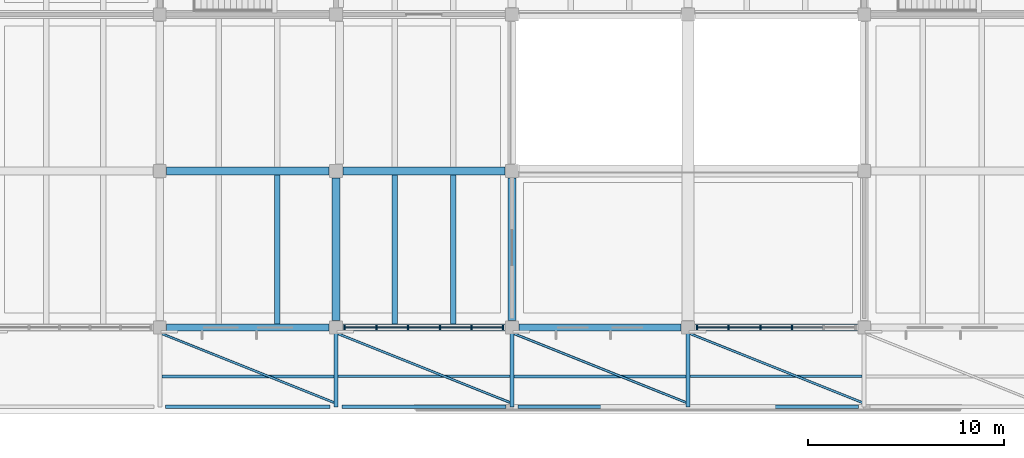
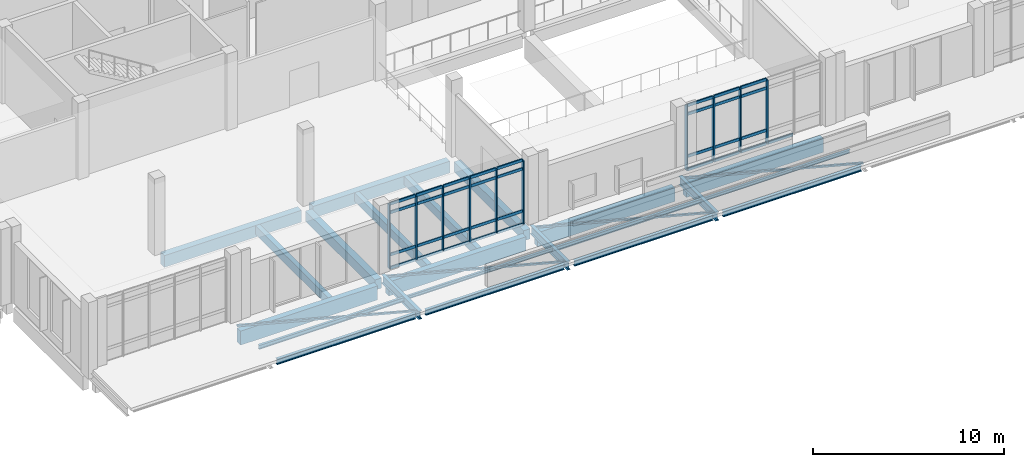
# One storey, part 29 of 110: 47 members, 22 beams, 2 elements without a shape of their own.
"""IFC4 building model written with IfcOpenShell, lengths in metres."""

import ifcopenshell
import ifcopenshell.guid

model = None  # the IFC model being written
_history = None  # IfcOwnerHistory: only IFC2X3 demands one
_inside = {}  # id of a spatial element -> (the spatial element, [elements in it])
_under = {}  # id of a project, library or spatial element -> (it, [spatial elements below it])
_declared = {}  # id of a project -> (the project, [libraries it declares])
_typed = {}  # id of a type object -> (the type object, [elements of that type])
_made_of = {}  # id of a material, layer set ... -> (it, [elements and type objects made of it])


def new_model(schema):
    """Start an empty IFC model of exactly this schema.

    Asked for "IFC4X3", IfcOpenShell would pick the latest addendum, in which some entities
    have other attributes; the version numbers below select the first issue.
    IFC2X3 requires an IfcOwnerHistory on every rooted entity: one is made here for all.
    """
    global model, _history
    if schema == "IFC4X3":
        model = ifcopenshell.file(schema_version=(4, 3, 0, 0))
    else:
        model = ifcopenshell.file(schema=schema)
    _inside.clear()
    _under.clear()
    _declared.clear()
    _typed.clear()
    _made_of.clear()
    _history = None
    if model.schema == "IFC2X3":
        org = make("IfcOrganization", Name="unknown")
        user = make(
            "IfcPersonAndOrganization",
            ThePerson=make("IfcPerson", FamilyName="unknown"),
            TheOrganization=org,
        )
        app = make(
            "IfcApplication",
            ApplicationDeveloper=org,
            Version="unknown",
            ApplicationFullName="unknown",
            ApplicationIdentifier="unknown",
        )
        _history = make(
            "IfcOwnerHistory",
            OwningUser=user,
            OwningApplication=app,
            ChangeAction="ADDED",
            CreationDate=0,
        )
    return model


def make(cls, **values):
    """One entity of the class cls with the attributes given. An attribute that is None is left unset."""
    return model.create_entity(
        cls, **{name: value for name, value in values.items() if value is not None}
    )


def rooted(cls, **values):
    """An entity with a GlobalId (a new one), such as an element, a storey or a relation."""
    return make(cls, GlobalId=ifcopenshell.guid.new(), OwnerHistory=_history, **values)


def si_unit(unit_type, name, prefix=None):
    """IfcSIUnit, for example si_unit("LENGTHUNIT", "METRE", prefix="MILLI")."""
    return make("IfcSIUnit", UnitType=unit_type, Prefix=prefix, Name=name)


def assignment(units):
    """IfcUnitAssignment: the units of a project."""
    return None if units is None else make("IfcUnitAssignment", Units=units)


def point(xyz):
    """IfcCartesianPoint."""
    return None if xyz is None else make("IfcCartesianPoint", Coordinates=xyz)


def direction(xyz):
    """IfcDirection."""
    return None if xyz is None else make("IfcDirection", DirectionRatios=xyz)


def frame(location, z_axis=None, x_axis=None):
    """IfcAxis2Placement3D, a coordinate frame: its origin and axes. An axis left out is left unset."""
    return make(
        "IfcAxis2Placement3D",
        Location=point(location),
        Axis=direction(z_axis),
        RefDirection=direction(x_axis),
    )


def frame_2d(location, x_axis=None):
    """IfcAxis2Placement2D, a coordinate frame in the plane: its origin and x axis."""
    return make(
        "IfcAxis2Placement2D", Location=point(location), RefDirection=direction(x_axis)
    )


def origin():
    """The frame at (0, 0, 0) with its axes left unset."""
    return frame((0.0, 0.0, 0.0))


def origin_2d():
    """The frame at (0, 0) in the plane with its x axis left unset."""
    return frame_2d((0.0, 0.0))


def place(relative_to, where):
    """IfcLocalPlacement: puts the frame where relative to a parent placement (None: the world)."""
    return make(
        "IfcLocalPlacement", PlacementRelTo=relative_to, RelativePlacement=where
    )


def context(
    kind, dimensions, precision=None, world=None, true_north=None, identifier=None
):
    """IfcGeometricRepresentationContext, for example the 3D "Model" context."""
    return make(
        "IfcGeometricRepresentationContext",
        ContextIdentifier=identifier,
        ContextType=kind,
        CoordinateSpaceDimension=dimensions,
        Precision=precision,
        WorldCoordinateSystem=world,
        TrueNorth=true_north,
    )


def subcontext(parent, identifier, kind, view, scale=None):
    """IfcGeometricRepresentationSubContext, for example "Body" below "Model"."""
    return make(
        "IfcGeometricRepresentationSubContext",
        ContextIdentifier=identifier,
        ContextType=kind,
        ParentContext=parent,
        TargetScale=scale,
        TargetView=view,
    )


def project(units=None, contexts=None):
    """IfcProject with its units and contexts."""
    return rooted(
        "IfcProject",
        Name="project",
        RepresentationContexts=contexts,
        UnitsInContext=assignment(units),
    )


def spatial(cls, under=None, at=None, **own):
    """A site, building, storey or space (cls), placed at a placement, below another one or the project."""
    s = rooted(cls, ObjectPlacement=at, **own)
    if under is not None:
        _under.setdefault(under.id(), (under, []))[1].append(s)
    return s


def profile(cls, at=None, kind="AREA", **sizes):
    """A parametric profile (cls). Its sizes go by their IFC names, for example OverallWidth=200.0."""
    return make(cls, ProfileType=kind, Position=at, **sizes)


def rectangle(**sizes):
    """IfcRectangleProfileDef."""
    return profile("IfcRectangleProfileDef", **sizes)


def hollow_rectangle(**sizes):
    """IfcRectangleHollowProfileDef."""
    return profile("IfcRectangleHollowProfileDef", **sizes)


def i_section(**sizes):
    """IfcIShapeProfileDef."""
    return profile("IfcIShapeProfileDef", **sizes)


def extrude(swept, where, along, depth):
    """IfcExtrudedAreaSolid: the profile swept, set in the frame where, extruded along a direction by depth."""
    return make(
        "IfcExtrudedAreaSolid",
        SweptArea=swept,
        Position=where,
        ExtrudedDirection=direction(along),
        Depth=depth,
    )


def shape(context_of_items, identifier, shape_type, items):
    """IfcShapeRepresentation: the items that make up one representation, for example the "Body"."""
    return make(
        "IfcShapeRepresentation",
        ContextOfItems=context_of_items,
        RepresentationIdentifier=identifier,
        RepresentationType=shape_type,
        Items=items,
    )


def material(Name=None, Category=None):
    """IfcMaterial."""
    return make("IfcMaterial", Name=Name, Category=Category)


def layer(
    of_material, thickness, ventilated=None, Name=None, Category=None, Priority=None
):
    """IfcMaterialLayer: one layer of a wall or slab, of a material (None: an air gap)."""
    return make(
        "IfcMaterialLayer",
        Material=of_material,
        LayerThickness=thickness,
        IsVentilated=ventilated,
        Name=Name,
        Category=Category,
        Priority=Priority,
    )


def layer_set(layers, Name=None):
    """IfcMaterialLayerSet."""
    return make("IfcMaterialLayerSet", MaterialLayers=layers, LayerSetName=Name)


def material_profile(
    of_material, cross_section, Name=None, Category=None, Priority=None
):
    """IfcMaterialProfile: a cross section and its material."""
    return make(
        "IfcMaterialProfile",
        Name=Name,
        Material=of_material,
        Profile=cross_section,
        Priority=Priority,
        Category=Category,
    )


def profile_set(profiles, Name=None, composite=None):
    """IfcMaterialProfileSet."""
    return make(
        "IfcMaterialProfileSet",
        Name=Name,
        MaterialProfiles=profiles,
        CompositeProfile=composite,
    )


def made_of(thing, what):
    """Note that an element or type object is made of a material, layer set ...; save() writes the relation."""
    if what is not None:
        _made_of.setdefault(what.id(), (what, []))[1].append(thing)
    return thing


def type_object(cls, material=None, **own):
    """A type object (cls), such as IfcWallType, which elements share."""
    return made_of(rooted(cls, **own), material)


def element(
    cls,
    number,
    at=None,
    inside=None,
    cuts=None,
    type_object=None,
    material=None,
    context=None,
    identifier="Body",
    shape_type=None,
    held_by="IfcProductDefinitionShape",
    body=None,
    shapes=None,
    **own,
):
    """One element of the class cls, such as IfcWall. Its Tag is "e" and its number.

    at: its placement. inside: the storey or other place that contains it. cuts: it is an
    opening in that element (IfcRelVoidsElement). A single representation is given by context,
    identifier, shape_type and body (its items); several are given by shapes. held_by: the class
    of the entity that holds the representations. save() writes the other relations.
    """
    e = rooted(cls, Tag="e%d" % number, ObjectPlacement=at, **own)
    if body is not None:
        shapes = [shape(context, identifier, shape_type, body)]
    if shapes is not None:
        e.Representation = make(held_by, Representations=shapes)
    if inside is not None:
        _inside.setdefault(inside.id(), (inside, []))[1].append(e)
    if cuts is not None:
        rooted(
            "IfcRelVoidsElement", RelatingBuildingElement=cuts, RelatedOpeningElement=e
        )
    if type_object is not None:
        _typed.setdefault(type_object.id(), (type_object, []))[1].append(e)
    return made_of(e, material)


def aggregate(whole, parts):
    """IfcRelAggregates: a whole, such as a stair, and the parts it consists of."""
    return rooted("IfcRelAggregates", RelatingObject=whole, RelatedObjects=parts)


def save(model, path):
    """Write the relations noted so far, then the file.

    IfcRelAggregates (storeys below a building ...), IfcRelContainedInSpatialStructure (elements
    in a storey), IfcRelDefinesByType, IfcRelAssociatesMaterial and IfcRelDeclares: one each for
    every whole, place, type object, material and project.
    """
    for whole, parts in _under.values():
        aggregate(whole, parts)
    for where, things in _inside.values():
        rooted(
            "IfcRelContainedInSpatialStructure",
            RelatedElements=things,
            RelatingStructure=where,
        )
    for kind, things in _typed.values():
        rooted("IfcRelDefinesByType", RelatedObjects=things, RelatingType=kind)
    for what, things in _made_of.values():
        rooted("IfcRelAssociatesMaterial", RelatedObjects=things, RelatingMaterial=what)
    for by, libraries in _declared.values():
        rooted("IfcRelDeclares", RelatingContext=by, RelatedDefinitions=libraries)
    model.write(path)


model = new_model("IFC4")

# Units and contexts
model_context = context("Model", 3, precision=1e-05, world=origin(), true_north=direction((0.0, 1.0)))
body_context = subcontext(model_context, "Body", "Model", "MODEL_VIEW")
ifc_project = project(units=[si_unit("LENGTHUNIT", "METRE"), si_unit("AREAUNIT", "SQUARE_METRE"), si_unit("VOLUMEUNIT", "CUBIC_METRE"), si_unit("PLANEANGLEUNIT", "RADIAN"), si_unit("MASSUNIT", "GRAM", prefix="KILO")], contexts=[model_context])

# Site, building, storey
site_placement = place(None, origin())
site = spatial("IfcSite", under=ifc_project, at=site_placement, CompositionType="ELEMENT")
building_placement = place(site_placement, origin())
building = spatial("IfcBuilding", under=site, at=building_placement, Name="Zacnel Wholesale Market", CompositionType="ELEMENT")
storey_placement = place(building_placement, frame((0.0, 0.0, 6.300048828125)))
storey = spatial("IfcBuildingStorey", under=building, at=storey_placement, Name="L02", CompositionType="ELEMENT", Elevation=6.300048828125)

# Beams
ifc_material_1 = material(Name="Precast concrete C45/55", Category="concrete")
ifc_material_profile_1 = material_profile(ifc_material_1, rectangle(XDim=0.280029296875, YDim=0.550048828125, at=origin_2d()), Name="DT RIB 280x550")
ifc_profile_set_1 = profile_set([ifc_material_profile_1], Name="Precast concrete C45/55")
beam_type_1 = type_object("IfcBeamType", Name="BM-DT550", PredefinedType="JOIST", material=ifc_profile_set_1)
for number, where, z_axis, x_axis, name in (
    (1, (159.0, 0.175048828125, -0.574951171875), (0.0, 1.0, 0.0), (-1.0, 0.0, 0.0), "Precast secondary joist L02-0014"),
    (2, (165.0, 0.175048828125, -0.574951171875), (0.0, 1.0, 0.0), (-1.0, 0.0, 0.0), "Precast secondary joist L02-0015"),
    (3, (168.0, 0.175048828125, -0.574951171875), (0.0, 1.0, 0.0), (-1.0, 0.0, 0.0), "Precast secondary joist L02-0016"),
):
    element("IfcBeam", number, at=place(storey_placement, frame(where, z_axis=z_axis, x_axis=x_axis)), inside=storey, type_object=beam_type_1, Name=name, PredefinedType="JOIST", context=body_context, shape_type="SweptSolid", body=[
        extrude(rectangle(XDim=0.280029296875, YDim=0.550048828125, at=origin_2d()), origin(), (0.0, 0.0, 1.0), 7.625),
    ])
ifc_material_2 = material(Name="Precast concrete C45/55", Category="concrete")
ifc_material_profile_2 = material_profile(ifc_material_2, rectangle(XDim=0.39990234375, YDim=0.64990234375, at=origin_2d()), Name="PG 400x650")
ifc_profile_set_2 = profile_set([ifc_material_profile_2], Name="Precast concrete C45/55")
beam_type_2 = type_object("IfcBeamType", Name="BM-PG650", PredefinedType="BEAM", material=ifc_profile_set_2)
for number, where, z_axis, x_axis, name in (
    (4, (162.0, 0.35009765625, -0.625), (0.0, 1.0, 0.0), (-1.0, 0.0, 0.0), "Precast girder Y-0488"),
    (5, (171.0, 0.35009765625, -0.625), (0.0, 1.0, 0.0), (-1.0, 0.0, 0.0), "Precast girder Y-0495"),
):
    element("IfcBeam", number, at=place(storey_placement, frame(where, z_axis=z_axis, x_axis=x_axis)), inside=storey, type_object=beam_type_2, Name=name, PredefinedType="BEAM", context=body_context, shape_type="SweptSolid", body=[
        extrude(rectangle(XDim=0.39990234375, YDim=0.64990234375, at=origin_2d()), origin(), (0.0, 0.0, 1.0), 7.2998046875),
    ])
ifc_material_3 = material(Name="Precast concrete C45/55", Category="concrete")
ifc_material_profile_3 = material_profile(ifc_material_3, rectangle(XDim=0.39990234375, YDim=0.75, at=origin_2d()), Name="PG 400x750")
ifc_profile_set_3 = profile_set([ifc_material_profile_3], Name="Precast concrete C45/55")
beam_type_3 = type_object("IfcBeamType", Name="BM-PG750", PredefinedType="BEAM", material=ifc_profile_set_3)
for number, where, z_axis, x_axis, name in (
    (6, (153.35009765625, 8.0, -0.675048828125), (1.0, 0.0, 0.0), (0.0, 1.0, 0.0), "Precast girder X-0025"),
    (7, (162.35009765625, 8.0, -0.675048828125), (1.0, 0.0, 0.0), (0.0, 1.0, 0.0), "Precast girder X-0026"),
):
    element("IfcBeam", number, at=place(storey_placement, frame(where, z_axis=z_axis, x_axis=x_axis)), inside=storey, type_object=beam_type_3, Name=name, PredefinedType="BEAM", context=body_context, shape_type="SweptSolid", body=[
        extrude(rectangle(XDim=0.39990234375, YDim=0.75, at=origin_2d()), origin(), (0.0, 0.0, 1.0), 8.2998046875),
    ])
ifc_material_4 = material(Name="Precast concrete C45/55", Category="concrete")
ifc_material_profile_4 = material_profile(ifc_material_4, rectangle(XDim=0.35009765625, YDim=0.89990234375, at=origin_2d()), Name="SP 350x900")
ifc_profile_set_4 = profile_set([ifc_material_profile_4], Name="Precast concrete C45/55")
beam_type_4 = type_object("IfcBeamType", Name="BM-SP900", PredefinedType="SPANDREL", material=ifc_profile_set_4)
for number, where, z_axis, x_axis, name in (
    (8, (153.35009765625, 0.0, -0.75), (1.0, 0.0, 0.0), (0.0, 1.0, 0.0), "Precast girder X-0007"),
    (9, (162.35009765625, 0.0, -0.75), (1.0, 0.0, 0.0), (0.0, 1.0, 0.0), "Precast girder X-0008"),
    (10, (171.35009765625, 0.0, -0.75), (1.0, 0.0, 0.0), (0.0, 1.0, 0.0), "Precast girder X-0009"),
    (11, (180.35009765625, 0.0, -0.75), (1.0, 0.0, 0.0), (0.0, 1.0, 0.0), "Precast girder X-0010"),
):
    element("IfcBeam", number, at=place(storey_placement, frame(where, z_axis=z_axis, x_axis=x_axis)), inside=storey, type_object=beam_type_4, Name=name, PredefinedType="SPANDREL", context=body_context, shape_type="SweptSolid", body=[
        extrude(rectangle(XDim=0.35009765625, YDim=0.89990234375, at=origin_2d()), origin(), (0.0, 0.0, 1.0), 8.2998046875),
    ])
ifc_material_5 = material(Name="Steel S355", Category="steel")
ifc_material_profile_5 = material_profile(ifc_material_5, i_section(OverallWidth=0.133056640625, OverallDepth=0.20703125, WebThickness=0.005859375, FlangeThickness=0.00830078125, FilletRadius=0.008056640625, at=origin_2d()), Name="W200X26.6")
ifc_profile_set_5 = profile_set([ifc_material_profile_5], Name="Steel S355")
beam_type_5 = type_object("IfcBeamType", Name="BM-STL-W200", PredefinedType="JOIST", material=ifc_profile_set_5)
for number, where, z_axis, x_axis, name in (
    (12, (162.1044921875, -2.5, 0.220458984375), (1.0, 0.0, 0.0), (0.0, 1.0, 0.0), "Boulevard canopy secondary purlin 02"),
    (13, (180.1044921875, -2.5, 0.220458984375), (1.0, 0.0, 0.0), (0.0, 1.0, 0.0), "Boulevard canopy secondary purlin 04"),
):
    element("IfcBeam", number, at=place(storey_placement, frame(where, z_axis=z_axis, x_axis=x_axis)), inside=storey, type_object=beam_type_5, Name=name, PredefinedType="JOIST", context=body_context, shape_type="SweptSolid", body=[
        extrude(i_section(OverallWidth=0.133056640625, OverallDepth=0.20703125, WebThickness=0.005859375, FlangeThickness=0.00830078125, FilletRadius=0.008056640625, at=origin_2d()), origin(), (0.0, 0.0, 1.0), 8.791015625),
    ])
ifc_material_6 = material(Name="Steel S355", Category="steel")
ifc_material_profile_6 = material_profile(ifc_material_6, i_section(OverallWidth=0.14599609375, OverallDepth=0.258056640625, WebThickness=0.006103515625, FlangeThickness=0.009033203125, FilletRadius=0.009033203125, at=origin_2d()), Name="W250X32.7")
ifc_profile_set_6 = profile_set([ifc_material_profile_6], Name="Steel S355")
beam_type_6 = type_object("IfcBeamType", Name="BM-STL-W250", PredefinedType="JOIST", material=ifc_profile_set_6)
for number, where, z_axis, x_axis, name in (
    (14, (153.1044921875, -2.5, 0.195068359375), (1.0, 0.0, 0.0), (0.0, 1.0, 0.0), "Boulevard canopy secondary purlin 01"),
    (15, (171.1044921875, -2.5, 0.195068359375), (1.0, 0.0, 0.0), (0.0, 1.0, 0.0), "Boulevard canopy secondary purlin 03"),
):
    element("IfcBeam", number, at=place(storey_placement, frame(where, z_axis=z_axis, x_axis=x_axis)), inside=storey, type_object=beam_type_6, Name=name, PredefinedType="JOIST", context=body_context, shape_type="SweptSolid", body=[
        extrude(i_section(OverallWidth=0.14599609375, OverallDepth=0.258056640625, WebThickness=0.006103515625, FlangeThickness=0.009033203125, FilletRadius=0.009033203125, at=origin_2d()), origin(), (0.0, 0.0, 1.0), 8.791015625),
    ])
ifc_material_7 = material(Name="Steel S355", Category="steel")
ifc_material_profile_7 = material_profile(ifc_material_7, i_section(OverallWidth=0.172119140625, OverallDepth=0.35791015625, WebThickness=0.0078125, FlangeThickness=0.01318359375, FilletRadius=0.010986328125, at=origin_2d()), Name="W360X57.8")
ifc_profile_set_7 = profile_set([ifc_material_profile_7], Name="Steel S355")
beam_type_7 = type_object("IfcBeamType", Name="BM-STL-W360", PredefinedType="BEAM", material=ifc_profile_set_7)
for number, where, z_axis, x_axis, name in (
    (16, (153.300048828125, -4.050048828125, 0.14501953125), (1.0, 0.0, 0.0), (0.0, 1.0, 0.0), "Boulevard canopy fascia girder 01"),
    (17, (162.300048828125, -4.050048828125, 0.14501953125), (1.0, 0.0, 0.0), (0.0, 1.0, 0.0), "Boulevard canopy fascia girder 02"),
    (18, (171.300048828125, -4.050048828125, 0.14501953125), (1.0, 0.0, 0.0), (0.0, 1.0, 0.0), "Boulevard canopy fascia girder 03"),
    (19, (180.300048828125, -4.050048828125, 0.14501953125), (1.0, 0.0, 0.0), (0.0, 1.0, 0.0), "Boulevard canopy fascia girder 04"),
):
    element("IfcBeam", number, at=place(storey_placement, frame(where, z_axis=z_axis, x_axis=x_axis)), inside=storey, type_object=beam_type_7, Name=name, PredefinedType="BEAM", context=body_context, shape_type="SweptSolid", body=[
        extrude(i_section(OverallWidth=0.172119140625, OverallDepth=0.35791015625, WebThickness=0.0078125, FlangeThickness=0.01318359375, FilletRadius=0.010986328125, at=origin_2d()), origin(), (0.0, 0.0, 1.0), 8.39990234375),
    ])
ifc_material_8 = material(Name="Steel S355", Category="steel")
ifc_material_profile_8 = material_profile(ifc_material_8, i_section(OverallWidth=0.208984375, OverallDepth=0.532958984375, WebThickness=0.01025390625, FlangeThickness=0.015625, FilletRadius=0.013916015625, at=origin_2d()), Name="W530X92")
ifc_profile_set_8 = profile_set([ifc_material_profile_8], Name="Steel S355")
beam_type_8 = type_object("IfcBeamType", Name="BM-STL-W530", PredefinedType="BEAM", material=ifc_profile_set_8)
for number, where, z_axis, x_axis, name in (
    (20, (162.0, -0.14990234375, 0.057373046875), (0.0, -1.0, 0.0), (1.0, 0.0, 0.0), "Boulevard canopy steel girder 02"),
    (21, (171.0, -0.14990234375, 0.057373046875), (0.0, -1.0, 0.0), (1.0, 0.0, 0.0), "Boulevard canopy steel girder 03"),
    (22, (180.0, -0.14990234375, 0.057373046875), (0.0, -1.0, 0.0), (1.0, 0.0, 0.0), "Boulevard canopy steel girder 04"),
):
    element("IfcBeam", number, at=place(storey_placement, frame(where, z_axis=z_axis, x_axis=x_axis)), inside=storey, type_object=beam_type_8, Name=name, PredefinedType="BEAM", context=body_context, shape_type="SweptSolid", body=[
        extrude(i_section(OverallWidth=0.208984375, OverallDepth=0.532958984375, WebThickness=0.01025390625, FlangeThickness=0.015625, FilletRadius=0.013916015625, at=origin_2d()), origin(), (0.0, 0.0, 1.0), 3.900146484375),
    ])

# Curtain wall, members
ifc_material_9 = material(Name="Anodised aluminium", Category="aluminium")
ifc_layer = layer(ifc_material_9, 0.179931640625)
ifc_layer_set = layer_set([ifc_layer], Name="Anodised aluminium")
curtain_wall_type = type_object("IfcCurtainWallType", Name="CW-BLVD-5400", PredefinedType="NOTDEFINED", material=ifc_layer_set)
curtain_wall_1_placement = place(storey_placement, origin())
curtain_wall_1 = element("IfcCurtainWall", 23, at=curtain_wall_1_placement, inside=storey, type_object=curtain_wall_type, Name="Curtain wall ENV-R2-CW-L02-017", PredefinedType="NOTDEFINED")
ifc_material_10 = material(Name="Anodised aluminium", Category="aluminium")
ifc_material_profile_9 = material_profile(ifc_material_10, rectangle(XDim=0.074951171875, YDim=0.219970703125, at=origin_2d()), Name="AW-MULLION 75x220")
ifc_profile_set_9 = profile_set([ifc_material_profile_9], Name="Anodised aluminium")
member_type_1 = type_object("IfcMemberType", Name="CWM-MUL-01", PredefinedType="MULLION", material=ifc_profile_set_9)
member_1_placement = place(storey_placement, frame((162.449951171875, 0.0, 0.449951171875), z_axis=(0.0, 0.0, 1.0), x_axis=(1.0, 0.0, 0.0)))
member_1 = element("IfcMember", 24, at=member_1_placement, type_object=member_type_1, Name="ENV-R2-CW-L02-017 mullion 01", PredefinedType="MULLION", context=body_context, shape_type="SweptSolid", body=[
    extrude(rectangle(XDim=0.074951171875, YDim=0.219970703125, at=origin_2d()), origin(), (0.0, 0.0, 1.0), 4.10009765625),
])
member_2_placement = place(storey_placement, frame((164.070068359375, 0.0, 0.449951171875), z_axis=(0.0, 0.0, 1.0), x_axis=(1.0, 0.0, 0.0)))
member_2 = element("IfcMember", 25, at=member_2_placement, type_object=member_type_1, Name="ENV-R2-CW-L02-017 mullion 02", PredefinedType="MULLION", context=body_context, shape_type="SweptSolid", body=[
    extrude(rectangle(XDim=0.074951171875, YDim=0.219970703125, at=origin_2d()), origin(), (0.0, 0.0, 1.0), 4.10009765625),
])
member_3_placement = place(storey_placement, frame((165.68994140625, 0.0, 0.449951171875), z_axis=(0.0, 0.0, 1.0), x_axis=(1.0, 0.0, 0.0)))
member_3 = element("IfcMember", 26, at=member_3_placement, type_object=member_type_1, Name="ENV-R2-CW-L02-017 mullion 03", PredefinedType="MULLION", context=body_context, shape_type="SweptSolid", body=[
    extrude(rectangle(XDim=0.074951171875, YDim=0.219970703125, at=origin_2d()), origin(), (0.0, 0.0, 1.0), 4.10009765625),
])
member_4_placement = place(storey_placement, frame((167.31005859375, 0.0, 0.449951171875), z_axis=(0.0, 0.0, 1.0), x_axis=(1.0, 0.0, 0.0)))
member_4 = element("IfcMember", 27, at=member_4_placement, type_object=member_type_1, Name="ENV-R2-CW-L02-017 mullion 04", PredefinedType="MULLION", context=body_context, shape_type="SweptSolid", body=[
    extrude(rectangle(XDim=0.074951171875, YDim=0.219970703125, at=origin_2d()), origin(), (0.0, 0.0, 1.0), 4.10009765625),
])
member_5_placement = place(storey_placement, frame((168.929931640625, 0.0, 0.449951171875), z_axis=(0.0, 0.0, 1.0), x_axis=(1.0, 0.0, 0.0)))
member_5 = element("IfcMember", 28, at=member_5_placement, type_object=member_type_1, Name="ENV-R2-CW-L02-017 mullion 05", PredefinedType="MULLION", context=body_context, shape_type="SweptSolid", body=[
    extrude(rectangle(XDim=0.074951171875, YDim=0.219970703125, at=origin_2d()), origin(), (0.0, 0.0, 1.0), 4.10009765625),
])
member_6_placement = place(storey_placement, frame((170.550048828125, 0.0, 0.449951171875), z_axis=(0.0, 0.0, 1.0), x_axis=(1.0, 0.0, 0.0)))
member_6 = element("IfcMember", 29, at=member_6_placement, type_object=member_type_1, Name="ENV-R2-CW-L02-017 mullion 06", PredefinedType="MULLION", context=body_context, shape_type="SweptSolid", body=[
    extrude(rectangle(XDim=0.074951171875, YDim=0.219970703125, at=origin_2d()), origin(), (0.0, 0.0, 1.0), 4.10009765625),
])

curtain_wall_2_placement = place(storey_placement, origin())
curtain_wall_2 = element("IfcCurtainWall", 30, at=curtain_wall_2_placement, inside=storey, type_object=curtain_wall_type, Name="Curtain wall ENV-R2-CW-L02-018", PredefinedType="NOTDEFINED")
member_7_placement = place(storey_placement, frame((180.449951171875, 0.0, 0.449951171875), z_axis=(0.0, 0.0, 1.0), x_axis=(1.0, 0.0, 0.0)))
member_7 = element("IfcMember", 31, at=member_7_placement, type_object=member_type_1, Name="ENV-R2-CW-L02-018 mullion 01", PredefinedType="MULLION", context=body_context, shape_type="SweptSolid", body=[
    extrude(rectangle(XDim=0.074951171875, YDim=0.219970703125, at=origin_2d()), origin(), (0.0, 0.0, 1.0), 4.10009765625),
])
member_8_placement = place(storey_placement, frame((182.070068359375, 0.0, 0.449951171875), z_axis=(0.0, 0.0, 1.0), x_axis=(1.0, 0.0, 0.0)))
member_8 = element("IfcMember", 32, at=member_8_placement, type_object=member_type_1, Name="ENV-R2-CW-L02-018 mullion 02", PredefinedType="MULLION", context=body_context, shape_type="SweptSolid", body=[
    extrude(rectangle(XDim=0.074951171875, YDim=0.219970703125, at=origin_2d()), origin(), (0.0, 0.0, 1.0), 4.10009765625),
])
member_9_placement = place(storey_placement, frame((183.68994140625, 0.0, 0.449951171875), z_axis=(0.0, 0.0, 1.0), x_axis=(1.0, 0.0, 0.0)))
member_9 = element("IfcMember", 33, at=member_9_placement, type_object=member_type_1, Name="ENV-R2-CW-L02-018 mullion 03", PredefinedType="MULLION", context=body_context, shape_type="SweptSolid", body=[
    extrude(rectangle(XDim=0.074951171875, YDim=0.219970703125, at=origin_2d()), origin(), (0.0, 0.0, 1.0), 4.10009765625),
])
member_10_placement = place(storey_placement, frame((185.31005859375, 0.0, 0.449951171875), z_axis=(0.0, 0.0, 1.0), x_axis=(1.0, 0.0, 0.0)))
member_10 = element("IfcMember", 34, at=member_10_placement, type_object=member_type_1, Name="ENV-R2-CW-L02-018 mullion 04", PredefinedType="MULLION", context=body_context, shape_type="SweptSolid", body=[
    extrude(rectangle(XDim=0.074951171875, YDim=0.219970703125, at=origin_2d()), origin(), (0.0, 0.0, 1.0), 4.10009765625),
])

# Member
ifc_material_11 = material(Name="Anodised aluminium", Category="aluminium")
ifc_material_profile_10 = material_profile(ifc_material_11, rectangle(XDim=0.074951171875, YDim=0.179931640625, at=origin_2d()), Name="AW-TRANSOM 75x180")
ifc_profile_set_10 = profile_set([ifc_material_profile_10], Name="Anodised aluminium")
member_type_2 = type_object("IfcMemberType", Name="CWM-TRN-01", PredefinedType="USERDEFINED", material=ifc_profile_set_10)
member_11_placement = place(storey_placement, frame((162.485107421875, 0.0, 0.449951171875), z_axis=(1.0, 0.0, 0.0), x_axis=(0.0, 1.0, 0.0)))
member_11 = element("IfcMember", 35, at=member_11_placement, type_object=member_type_2, Name="ENV-R2-CW-L02-017 transom 1-1", ObjectType="TRANSOM", PredefinedType="USERDEFINED", context=body_context, shape_type="SweptSolid", body=[
    extrude(rectangle(XDim=0.074951171875, YDim=0.179931640625, at=origin_2d()), origin(), (0.0, 0.0, 1.0), 1.5498046875),
])

member_12_placement = place(storey_placement, frame((162.485107421875, 0.0, 1.300048828125), z_axis=(1.0, 0.0, 0.0), x_axis=(0.0, 1.0, 0.0)))
member_12 = element("IfcMember", 36, at=member_12_placement, type_object=member_type_2, Name="ENV-R2-CW-L02-017 transom 1-2", ObjectType="TRANSOM", PredefinedType="USERDEFINED", context=body_context, shape_type="SweptSolid", body=[
    extrude(rectangle(XDim=0.074951171875, YDim=0.179931640625, at=origin_2d()), origin(), (0.0, 0.0, 1.0), 1.5498046875),
])

member_13_placement = place(storey_placement, frame((162.485107421875, 0.0, 4.0), z_axis=(1.0, 0.0, 0.0), x_axis=(0.0, 1.0, 0.0)))
member_13 = element("IfcMember", 37, at=member_13_placement, type_object=member_type_2, Name="ENV-R2-CW-L02-017 transom 1-3", ObjectType="TRANSOM", PredefinedType="USERDEFINED", context=body_context, shape_type="SweptSolid", body=[
    extrude(rectangle(XDim=0.074951171875, YDim=0.179931640625, at=origin_2d()), origin(), (0.0, 0.0, 1.0), 1.5498046875),
])

member_14_placement = place(storey_placement, frame((162.485107421875, 0.0, 4.550048828125), z_axis=(1.0, 0.0, 0.0), x_axis=(0.0, 1.0, 0.0)))
member_14 = element("IfcMember", 38, at=member_14_placement, type_object=member_type_2, Name="ENV-R2-CW-L02-017 transom 1-4", ObjectType="TRANSOM", PredefinedType="USERDEFINED", context=body_context, shape_type="SweptSolid", body=[
    extrude(rectangle(XDim=0.074951171875, YDim=0.179931640625, at=origin_2d()), origin(), (0.0, 0.0, 1.0), 1.5498046875),
])

member_15_placement = place(storey_placement, frame((164.10498046875, 0.0, 0.449951171875), z_axis=(1.0, 0.0, 0.0), x_axis=(0.0, 1.0, 0.0)))
member_15 = element("IfcMember", 39, at=member_15_placement, type_object=member_type_2, Name="ENV-R2-CW-L02-017 transom 2-1", ObjectType="TRANSOM", PredefinedType="USERDEFINED", context=body_context, shape_type="SweptSolid", body=[
    extrude(rectangle(XDim=0.074951171875, YDim=0.179931640625, at=origin_2d()), origin(), (0.0, 0.0, 1.0), 1.550048828125),
])

member_16_placement = place(storey_placement, frame((164.10498046875, 0.0, 1.300048828125), z_axis=(1.0, 0.0, 0.0), x_axis=(0.0, 1.0, 0.0)))
member_16 = element("IfcMember", 40, at=member_16_placement, type_object=member_type_2, Name="ENV-R2-CW-L02-017 transom 2-2", ObjectType="TRANSOM", PredefinedType="USERDEFINED", context=body_context, shape_type="SweptSolid", body=[
    extrude(rectangle(XDim=0.074951171875, YDim=0.179931640625, at=origin_2d()), origin(), (0.0, 0.0, 1.0), 1.550048828125),
])

member_17_placement = place(storey_placement, frame((164.10498046875, 0.0, 4.0), z_axis=(1.0, 0.0, 0.0), x_axis=(0.0, 1.0, 0.0)))
member_17 = element("IfcMember", 41, at=member_17_placement, type_object=member_type_2, Name="ENV-R2-CW-L02-017 transom 2-3", ObjectType="TRANSOM", PredefinedType="USERDEFINED", context=body_context, shape_type="SweptSolid", body=[
    extrude(rectangle(XDim=0.074951171875, YDim=0.179931640625, at=origin_2d()), origin(), (0.0, 0.0, 1.0), 1.550048828125),
])

member_18_placement = place(storey_placement, frame((164.10498046875, 0.0, 4.550048828125), z_axis=(1.0, 0.0, 0.0), x_axis=(0.0, 1.0, 0.0)))
member_18 = element("IfcMember", 42, at=member_18_placement, type_object=member_type_2, Name="ENV-R2-CW-L02-017 transom 2-4", ObjectType="TRANSOM", PredefinedType="USERDEFINED", context=body_context, shape_type="SweptSolid", body=[
    extrude(rectangle(XDim=0.074951171875, YDim=0.179931640625, at=origin_2d()), origin(), (0.0, 0.0, 1.0), 1.550048828125),
])

member_19_placement = place(storey_placement, frame((165.72509765625, 0.0, 0.449951171875), z_axis=(1.0, 0.0, 0.0), x_axis=(0.0, 1.0, 0.0)))
member_19 = element("IfcMember", 43, at=member_19_placement, type_object=member_type_2, Name="ENV-R2-CW-L02-017 transom 3-1", ObjectType="TRANSOM", PredefinedType="USERDEFINED", context=body_context, shape_type="SweptSolid", body=[
    extrude(rectangle(XDim=0.074951171875, YDim=0.179931640625, at=origin_2d()), origin(), (0.0, 0.0, 1.0), 1.5498046875),
])

member_20_placement = place(storey_placement, frame((165.72509765625, 0.0, 1.300048828125), z_axis=(1.0, 0.0, 0.0), x_axis=(0.0, 1.0, 0.0)))
member_20 = element("IfcMember", 44, at=member_20_placement, type_object=member_type_2, Name="ENV-R2-CW-L02-017 transom 3-2", ObjectType="TRANSOM", PredefinedType="USERDEFINED", context=body_context, shape_type="SweptSolid", body=[
    extrude(rectangle(XDim=0.074951171875, YDim=0.179931640625, at=origin_2d()), origin(), (0.0, 0.0, 1.0), 1.5498046875),
])

member_21_placement = place(storey_placement, frame((165.72509765625, 0.0, 4.0), z_axis=(1.0, 0.0, 0.0), x_axis=(0.0, 1.0, 0.0)))
member_21 = element("IfcMember", 45, at=member_21_placement, type_object=member_type_2, Name="ENV-R2-CW-L02-017 transom 3-3", ObjectType="TRANSOM", PredefinedType="USERDEFINED", context=body_context, shape_type="SweptSolid", body=[
    extrude(rectangle(XDim=0.074951171875, YDim=0.179931640625, at=origin_2d()), origin(), (0.0, 0.0, 1.0), 1.5498046875),
])

member_22_placement = place(storey_placement, frame((165.72509765625, 0.0, 4.550048828125), z_axis=(1.0, 0.0, 0.0), x_axis=(0.0, 1.0, 0.0)))
member_22 = element("IfcMember", 46, at=member_22_placement, type_object=member_type_2, Name="ENV-R2-CW-L02-017 transom 3-4", ObjectType="TRANSOM", PredefinedType="USERDEFINED", context=body_context, shape_type="SweptSolid", body=[
    extrude(rectangle(XDim=0.074951171875, YDim=0.179931640625, at=origin_2d()), origin(), (0.0, 0.0, 1.0), 1.5498046875),
])

member_23_placement = place(storey_placement, frame((167.344970703125, 0.0, 0.449951171875), z_axis=(1.0, 0.0, 0.0), x_axis=(0.0, 1.0, 0.0)))
member_23 = element("IfcMember", 47, at=member_23_placement, type_object=member_type_2, Name="ENV-R2-CW-L02-017 transom 4-1", ObjectType="TRANSOM", PredefinedType="USERDEFINED", context=body_context, shape_type="SweptSolid", body=[
    extrude(rectangle(XDim=0.074951171875, YDim=0.179931640625, at=origin_2d()), origin(), (0.0, 0.0, 1.0), 1.550048828125),
])

member_24_placement = place(storey_placement, frame((167.344970703125, 0.0, 1.300048828125), z_axis=(1.0, 0.0, 0.0), x_axis=(0.0, 1.0, 0.0)))
member_24 = element("IfcMember", 48, at=member_24_placement, type_object=member_type_2, Name="ENV-R2-CW-L02-017 transom 4-2", ObjectType="TRANSOM", PredefinedType="USERDEFINED", context=body_context, shape_type="SweptSolid", body=[
    extrude(rectangle(XDim=0.074951171875, YDim=0.179931640625, at=origin_2d()), origin(), (0.0, 0.0, 1.0), 1.550048828125),
])

member_25_placement = place(storey_placement, frame((167.344970703125, 0.0, 4.0), z_axis=(1.0, 0.0, 0.0), x_axis=(0.0, 1.0, 0.0)))
member_25 = element("IfcMember", 49, at=member_25_placement, type_object=member_type_2, Name="ENV-R2-CW-L02-017 transom 4-3", ObjectType="TRANSOM", PredefinedType="USERDEFINED", context=body_context, shape_type="SweptSolid", body=[
    extrude(rectangle(XDim=0.074951171875, YDim=0.179931640625, at=origin_2d()), origin(), (0.0, 0.0, 1.0), 1.550048828125),
])

member_26_placement = place(storey_placement, frame((167.344970703125, 0.0, 4.550048828125), z_axis=(1.0, 0.0, 0.0), x_axis=(0.0, 1.0, 0.0)))
member_26 = element("IfcMember", 50, at=member_26_placement, type_object=member_type_2, Name="ENV-R2-CW-L02-017 transom 4-4", ObjectType="TRANSOM", PredefinedType="USERDEFINED", context=body_context, shape_type="SweptSolid", body=[
    extrude(rectangle(XDim=0.074951171875, YDim=0.179931640625, at=origin_2d()), origin(), (0.0, 0.0, 1.0), 1.550048828125),
])

member_27_placement = place(storey_placement, frame((168.965087890625, 0.0, 0.449951171875), z_axis=(1.0, 0.0, 0.0), x_axis=(0.0, 1.0, 0.0)))
member_27 = element("IfcMember", 51, at=member_27_placement, type_object=member_type_2, Name="ENV-R2-CW-L02-017 transom 5-1", ObjectType="TRANSOM", PredefinedType="USERDEFINED", context=body_context, shape_type="SweptSolid", body=[
    extrude(rectangle(XDim=0.074951171875, YDim=0.179931640625, at=origin_2d()), origin(), (0.0, 0.0, 1.0), 1.5498046875),
])

member_28_placement = place(storey_placement, frame((168.965087890625, 0.0, 1.300048828125), z_axis=(1.0, 0.0, 0.0), x_axis=(0.0, 1.0, 0.0)))
member_28 = element("IfcMember", 52, at=member_28_placement, type_object=member_type_2, Name="ENV-R2-CW-L02-017 transom 5-2", ObjectType="TRANSOM", PredefinedType="USERDEFINED", context=body_context, shape_type="SweptSolid", body=[
    extrude(rectangle(XDim=0.074951171875, YDim=0.179931640625, at=origin_2d()), origin(), (0.0, 0.0, 1.0), 1.5498046875),
])

member_29_placement = place(storey_placement, frame((168.965087890625, 0.0, 4.0), z_axis=(1.0, 0.0, 0.0), x_axis=(0.0, 1.0, 0.0)))
member_29 = element("IfcMember", 53, at=member_29_placement, type_object=member_type_2, Name="ENV-R2-CW-L02-017 transom 5-3", ObjectType="TRANSOM", PredefinedType="USERDEFINED", context=body_context, shape_type="SweptSolid", body=[
    extrude(rectangle(XDim=0.074951171875, YDim=0.179931640625, at=origin_2d()), origin(), (0.0, 0.0, 1.0), 1.5498046875),
])

member_30_placement = place(storey_placement, frame((168.965087890625, 0.0, 4.550048828125), z_axis=(1.0, 0.0, 0.0), x_axis=(0.0, 1.0, 0.0)))
member_30 = element("IfcMember", 54, at=member_30_placement, type_object=member_type_2, Name="ENV-R2-CW-L02-017 transom 5-4", ObjectType="TRANSOM", PredefinedType="USERDEFINED", context=body_context, shape_type="SweptSolid", body=[
    extrude(rectangle(XDim=0.074951171875, YDim=0.179931640625, at=origin_2d()), origin(), (0.0, 0.0, 1.0), 1.5498046875),
])

aggregate(curtain_wall_1, [member_1, member_2, member_3, member_4, member_5, member_6, member_11, member_12, member_13, member_14, member_15, member_16, member_17, member_18, member_19, member_20, member_21, member_22, member_23, member_24, member_25, member_26, member_27, member_28, member_29, member_30])

member_31_placement = place(storey_placement, frame((180.485107421875, 0.0, 0.449951171875), z_axis=(1.0, 0.0, 0.0), x_axis=(0.0, 1.0, 0.0)))
member_31 = element("IfcMember", 55, at=member_31_placement, type_object=member_type_2, Name="ENV-R2-CW-L02-018 transom 1-1", ObjectType="TRANSOM", PredefinedType="USERDEFINED", context=body_context, shape_type="SweptSolid", body=[
    extrude(rectangle(XDim=0.074951171875, YDim=0.179931640625, at=origin_2d()), origin(), (0.0, 0.0, 1.0), 1.5498046875),
])

member_32_placement = place(storey_placement, frame((180.485107421875, 0.0, 1.300048828125), z_axis=(1.0, 0.0, 0.0), x_axis=(0.0, 1.0, 0.0)))
member_32 = element("IfcMember", 56, at=member_32_placement, type_object=member_type_2, Name="ENV-R2-CW-L02-018 transom 1-2", ObjectType="TRANSOM", PredefinedType="USERDEFINED", context=body_context, shape_type="SweptSolid", body=[
    extrude(rectangle(XDim=0.074951171875, YDim=0.179931640625, at=origin_2d()), origin(), (0.0, 0.0, 1.0), 1.5498046875),
])

member_33_placement = place(storey_placement, frame((180.485107421875, 0.0, 4.0), z_axis=(1.0, 0.0, 0.0), x_axis=(0.0, 1.0, 0.0)))
member_33 = element("IfcMember", 57, at=member_33_placement, type_object=member_type_2, Name="ENV-R2-CW-L02-018 transom 1-3", ObjectType="TRANSOM", PredefinedType="USERDEFINED", context=body_context, shape_type="SweptSolid", body=[
    extrude(rectangle(XDim=0.074951171875, YDim=0.179931640625, at=origin_2d()), origin(), (0.0, 0.0, 1.0), 1.5498046875),
])

member_34_placement = place(storey_placement, frame((180.485107421875, 0.0, 4.550048828125), z_axis=(1.0, 0.0, 0.0), x_axis=(0.0, 1.0, 0.0)))
member_34 = element("IfcMember", 58, at=member_34_placement, type_object=member_type_2, Name="ENV-R2-CW-L02-018 transom 1-4", ObjectType="TRANSOM", PredefinedType="USERDEFINED", context=body_context, shape_type="SweptSolid", body=[
    extrude(rectangle(XDim=0.074951171875, YDim=0.179931640625, at=origin_2d()), origin(), (0.0, 0.0, 1.0), 1.5498046875),
])

member_35_placement = place(storey_placement, frame((182.10498046875, 0.0, 0.449951171875), z_axis=(1.0, 0.0, 0.0), x_axis=(0.0, 1.0, 0.0)))
member_35 = element("IfcMember", 59, at=member_35_placement, type_object=member_type_2, Name="ENV-R2-CW-L02-018 transom 2-1", ObjectType="TRANSOM", PredefinedType="USERDEFINED", context=body_context, shape_type="SweptSolid", body=[
    extrude(rectangle(XDim=0.074951171875, YDim=0.179931640625, at=origin_2d()), origin(), (0.0, 0.0, 1.0), 1.550048828125),
])

member_36_placement = place(storey_placement, frame((182.10498046875, 0.0, 1.300048828125), z_axis=(1.0, 0.0, 0.0), x_axis=(0.0, 1.0, 0.0)))
member_36 = element("IfcMember", 60, at=member_36_placement, type_object=member_type_2, Name="ENV-R2-CW-L02-018 transom 2-2", ObjectType="TRANSOM", PredefinedType="USERDEFINED", context=body_context, shape_type="SweptSolid", body=[
    extrude(rectangle(XDim=0.074951171875, YDim=0.179931640625, at=origin_2d()), origin(), (0.0, 0.0, 1.0), 1.550048828125),
])

member_37_placement = place(storey_placement, frame((182.10498046875, 0.0, 4.0), z_axis=(1.0, 0.0, 0.0), x_axis=(0.0, 1.0, 0.0)))
member_37 = element("IfcMember", 61, at=member_37_placement, type_object=member_type_2, Name="ENV-R2-CW-L02-018 transom 2-3", ObjectType="TRANSOM", PredefinedType="USERDEFINED", context=body_context, shape_type="SweptSolid", body=[
    extrude(rectangle(XDim=0.074951171875, YDim=0.179931640625, at=origin_2d()), origin(), (0.0, 0.0, 1.0), 1.550048828125),
])

member_38_placement = place(storey_placement, frame((182.10498046875, 0.0, 4.550048828125), z_axis=(1.0, 0.0, 0.0), x_axis=(0.0, 1.0, 0.0)))
member_38 = element("IfcMember", 62, at=member_38_placement, type_object=member_type_2, Name="ENV-R2-CW-L02-018 transom 2-4", ObjectType="TRANSOM", PredefinedType="USERDEFINED", context=body_context, shape_type="SweptSolid", body=[
    extrude(rectangle(XDim=0.074951171875, YDim=0.179931640625, at=origin_2d()), origin(), (0.0, 0.0, 1.0), 1.550048828125),
])

member_39_placement = place(storey_placement, frame((183.72509765625, 0.0, 0.449951171875), z_axis=(1.0, 0.0, 0.0), x_axis=(0.0, 1.0, 0.0)))
member_39 = element("IfcMember", 63, at=member_39_placement, type_object=member_type_2, Name="ENV-R2-CW-L02-018 transom 3-1", ObjectType="TRANSOM", PredefinedType="USERDEFINED", context=body_context, shape_type="SweptSolid", body=[
    extrude(rectangle(XDim=0.074951171875, YDim=0.179931640625, at=origin_2d()), origin(), (0.0, 0.0, 1.0), 1.5498046875),
])

member_40_placement = place(storey_placement, frame((183.72509765625, 0.0, 1.300048828125), z_axis=(1.0, 0.0, 0.0), x_axis=(0.0, 1.0, 0.0)))
member_40 = element("IfcMember", 64, at=member_40_placement, type_object=member_type_2, Name="ENV-R2-CW-L02-018 transom 3-2", ObjectType="TRANSOM", PredefinedType="USERDEFINED", context=body_context, shape_type="SweptSolid", body=[
    extrude(rectangle(XDim=0.074951171875, YDim=0.179931640625, at=origin_2d()), origin(), (0.0, 0.0, 1.0), 1.5498046875),
])

member_41_placement = place(storey_placement, frame((183.72509765625, 0.0, 4.0), z_axis=(1.0, 0.0, 0.0), x_axis=(0.0, 1.0, 0.0)))
member_41 = element("IfcMember", 65, at=member_41_placement, type_object=member_type_2, Name="ENV-R2-CW-L02-018 transom 3-3", ObjectType="TRANSOM", PredefinedType="USERDEFINED", context=body_context, shape_type="SweptSolid", body=[
    extrude(rectangle(XDim=0.074951171875, YDim=0.179931640625, at=origin_2d()), origin(), (0.0, 0.0, 1.0), 1.5498046875),
])

member_42_placement = place(storey_placement, frame((183.72509765625, 0.0, 4.550048828125), z_axis=(1.0, 0.0, 0.0), x_axis=(0.0, 1.0, 0.0)))
member_42 = element("IfcMember", 66, at=member_42_placement, type_object=member_type_2, Name="ENV-R2-CW-L02-018 transom 3-4", ObjectType="TRANSOM", PredefinedType="USERDEFINED", context=body_context, shape_type="SweptSolid", body=[
    extrude(rectangle(XDim=0.074951171875, YDim=0.179931640625, at=origin_2d()), origin(), (0.0, 0.0, 1.0), 1.5498046875),
])

member_43_placement = place(storey_placement, frame((185.344970703125, 0.0, 0.449951171875), z_axis=(1.0, 0.0, 0.0), x_axis=(0.0, 1.0, 0.0)))
member_43 = element("IfcMember", 67, at=member_43_placement, type_object=member_type_2, Name="ENV-R2-CW-L02-018 transom 4-1", ObjectType="TRANSOM", PredefinedType="USERDEFINED", context=body_context, shape_type="SweptSolid", body=[
    extrude(rectangle(XDim=0.074951171875, YDim=0.179931640625, at=origin_2d()), origin(), (0.0, 0.0, 1.0), 1.550048828125),
])

aggregate(curtain_wall_2, [member_7, member_8, member_9, member_10, member_31, member_32, member_33, member_34, member_35, member_36, member_37, member_38, member_39, member_40, member_41, member_42, member_43])

# Members
ifc_material_12 = material(Name="Steel S355", Category="steel")
ifc_material_profile_11 = material_profile(ifc_material_12, hollow_rectangle(XDim=0.1201171875, YDim=0.1201171875, WallThickness=0.00634765625, InnerFilletRadius=0.006103515625, OuterFilletRadius=0.011962890625, at=origin_2d()), Name="HSS 120x120x6.3")
ifc_profile_set_11 = profile_set([ifc_material_profile_11], Name="Steel S355")
member_type_3 = type_object("IfcMemberType", Name="MEM-BRC-HSS120", PredefinedType="BRACE", material=ifc_profile_set_11)
for number, where, z_axis, x_axis, name in (
    (68, (153.06005859375, -0.300048828125, 0.25), (0.92854533956, -0.371219008648, 0.0), (0.371219008648, 0.92854533956, 0.0), "Boulevard canopy plan brace 01"),
    (69, (162.06005859375, -0.300048828125, 0.25), (0.92854533956, -0.371219008648, 0.0), (0.371219008648, 0.92854533956, 0.0), "Boulevard canopy plan brace 02"),
    (70, (171.06005859375, -0.300048828125, 0.25), (0.92854533956, -0.371219008648, 0.0), (0.371219008648, 0.92854533956, 0.0), "Boulevard canopy plan brace 03"),
    (71, (180.06005859375, -0.300048828125, 0.25), (0.92854533956, -0.371219008648, 0.0), (0.371219008648, 0.92854533956, 0.0), "Boulevard canopy plan brace 04"),
):
    element("IfcMember", number, at=place(storey_placement, frame(where, z_axis=z_axis, x_axis=x_axis)), inside=storey, type_object=member_type_3, Name=name, PredefinedType="BRACE", context=body_context, shape_type="SweptSolid", body=[
        extrude(hollow_rectangle(XDim=0.1201171875, YDim=0.1201171875, WallThickness=0.00634765625, InnerFilletRadius=0.006103515625, OuterFilletRadius=0.011962890625, at=origin_2d()), origin(), (0.0, 0.0, 1.0), 9.563232421875),
    ])

save(model, "model.ifc")
